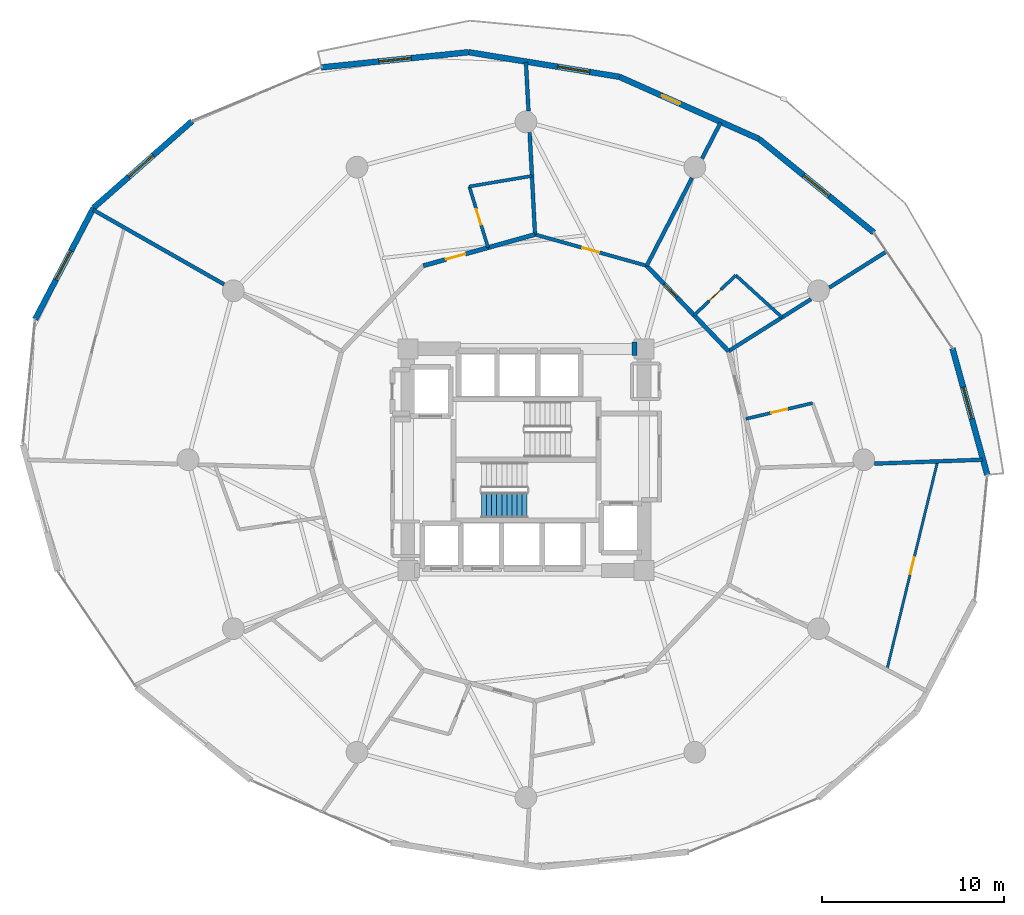
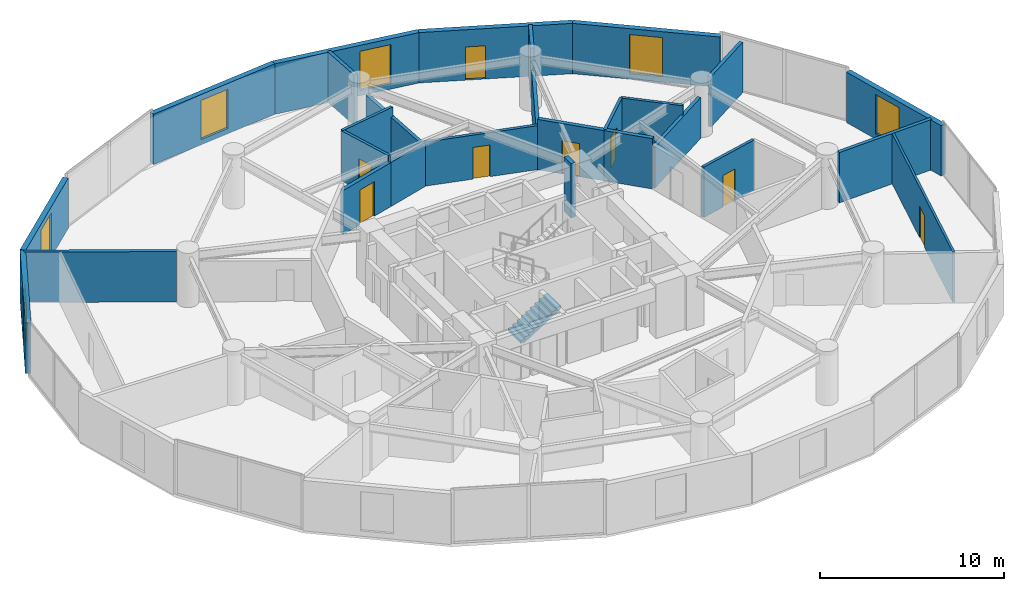
# One storey, part 22 of 26: 27 walls, 8 doors, 6 windows, 1 stair flight, 14 openings, 1 element without a shape of its own.
"""IFC4 building model written with IfcOpenShell, lengths in metres."""

from ifc_helpers import new_model, si_unit, direction, frame, frame_2d, origin, place, context, subcontext, project, spatial, polyline, rectangle, outline, extrude, material, layer, layer_set, type_object, element, fill, aggregate, save


model = new_model("IFC4")

# Units and contexts
model_context = context("Model", 3, precision=1e-05, world=origin(), true_north=direction((0.0, 1.0)))
body_context = subcontext(model_context, "Body", "Model", "MODEL_VIEW")
ifc_project = project(units=[si_unit("LENGTHUNIT", "METRE"), si_unit("AREAUNIT", "SQUARE_METRE"), si_unit("VOLUMEUNIT", "CUBIC_METRE"), si_unit("PLANEANGLEUNIT", "RADIAN"), si_unit("MASSUNIT", "GRAM", prefix="KILO")], contexts=[model_context])

# Site, building, storey
site_placement = place(None, origin())
site = spatial("IfcSite", under=ifc_project, at=site_placement, CompositionType="ELEMENT")
building_placement = place(site_placement, origin())
building = spatial("IfcBuilding", under=site, at=building_placement, Name="Solvirekh Grand Hotel", CompositionType="ELEMENT")
storey_placement = place(building_placement, frame((0.0, 0.0, 64.39990234375)))
storey = spatial("IfcBuildingStorey", under=building, at=storey_placement, Name="L15", CompositionType="ELEMENT", Elevation=64.39990234375)

# Wall
ifc_material_1 = material(Name="Concrete C60/75", Category="concrete")
ifc_layer_1 = layer(ifc_material_1, 0.75)
ifc_layer_set_1 = layer_set([ifc_layer_1], Name="Concrete C60/75")
wall_type_1 = type_object("IfcWallType", Name="CoreWall_RC750", PredefinedType="SHEAR", material=ifc_layer_set_1)
wall_1_placement = place(storey_placement, frame((5.85009765625, 6.10009765625, 0.0), z_axis=(0.0, 0.0, 1.0), x_axis=(1.0, 0.0, 0.0)))
element("IfcWall", 1, at=wall_1_placement, inside=storey, type_object=wall_type_1, Name="L15 core corner shear wall NE-N", PredefinedType="SHEAR", context=body_context, shape_type="SweptSolid", body=[
    extrude(rectangle(XDim=0.27490234375, YDim=0.75, at=frame_2d((0.137451171875, 0.0))), origin(), (0.0, 0.0, 1.0), 3.60009765625),
])

# Wall, opening, window
ifc_material_2 = material(Name="Precast concrete C45/55", Category="concrete")
ifc_layer_2 = layer(ifc_material_2, 0.320068359375)
ifc_layer_set_2 = layer_set([ifc_layer_2], Name="Precast concrete C45/55")
wall_type_2 = type_object("IfcWallType", Name="ExtLobbyWall_RC320", PredefinedType="SOLIDWALL", material=ifc_layer_set_2)
wall_2_placement = place(storey_placement, frame((23.48193359375, 6.135009765625, 0.0), z_axis=(0.0, 0.0, 1.0), x_axis=(0.265132950738, -0.964211863873, 0.0)))
wall_2 = element("IfcWall", 2, at=wall_2_placement, inside=storey, type_object=wall_type_2, Name="L15 exterior structural wall chord 2", PredefinedType="SOLIDWALL", context=body_context, shape_type="SweptSolid", body=[
    extrude(rectangle(XDim=7.23388671875, YDim=0.320068359375, at=frame_2d((3.616943359375, 0.0))), origin(), (0.0, 0.0, 1.0), 3.340087890625),
])
opening_1_placement = place(wall_2_placement, frame((2.22607421875, 0.0, 0.35009765625)))
opening_1 = element("IfcOpeningElement", 3, at=opening_1_placement, cuts=wall_2, Name="Opening W02", PredefinedType="OPENING", context=body_context, shape_type="SweptSolid", body=[
    extrude(rectangle(XDim=1.800048828125, YDim=2.60009765625, at=frame_2d((0.89990234375, 1.300048828125))), frame((0.0, 0.169921875, 0.0), z_axis=(0.0, -1.0, 0.0), x_axis=(1.0, 0.0, 0.0)), (0.0, 0.0, 1.0), 0.340087890625),
])
ifc_material_3 = material(Name="Low-E Tinted Bronze Laminated Glass", Category="aluminium")
window_type = type_object("IfcWindowType", Name="Win_LobbyExt_1800X2600", PartitioningType="SINGLE_PANEL", PredefinedType="WINDOW", material=ifc_material_3)
window_1_placement = place(opening_1_placement, origin())
window_1 = element("IfcWindow", 4, at=window_1_placement, inside=storey, type_object=window_type, Name="L15 panoramic bronze-framed window 2", OverallHeight=2.60009765625, OverallWidth=1.800048828125, PartitioningType="SINGLE_PANEL", PredefinedType="WINDOW", context=body_context, shape_type="SweptSolid", body=[
    extrude(rectangle(XDim=1.800048828125, YDim=2.60009765625, at=frame_2d((0.89990234375, 1.300048828125))), frame((0.0, 0.030029296875, 0.0), z_axis=(0.0, -1.0, 0.0), x_axis=(1.0, 0.0, 0.0)), (0.0, 0.0, 1.0), 0.06005859375),
])
fill(opening_1, window_1)

wall_3_placement = place(storey_placement, frame((12.8359375, 17.657958984375, 0.0), z_axis=(0.0, 0.0, 1.0), x_axis=(0.775030651079, -0.631923642451, 0.0)))
wall_3 = element("IfcWall", 5, at=wall_3_placement, inside=storey, type_object=wall_type_2, Name="L15 exterior structural wall chord 4", PredefinedType="SOLIDWALL", context=body_context, shape_type="SweptSolid", body=[
    extrude(rectangle(XDim=8.149658203125, YDim=0.320068359375, at=frame_2d((4.07470703125, 0.0))), origin(), (0.0, 0.0, 1.0), 3.340087890625),
])
opening_2_placement = place(wall_3_placement, frame((3.175048828125, 0.0, 0.35009765625)))
opening_2 = element("IfcOpeningElement", 6, at=opening_2_placement, cuts=wall_3, Name="Opening W02", PredefinedType="OPENING", context=body_context, shape_type="SweptSolid", body=[
    extrude(rectangle(XDim=1.800048828125, YDim=2.60009765625, at=frame_2d((0.89990234375, 1.300048828125))), frame((0.0, 0.169921875, 0.0), z_axis=(0.0, -1.0, 0.0), x_axis=(1.0, 0.0, 0.0)), (0.0, 0.0, 1.0), 0.340087890625),
])
window_2_placement = place(opening_2_placement, origin())
window_2 = element("IfcWindow", 7, at=window_2_placement, inside=storey, type_object=window_type, Name="L15 panoramic bronze-framed window 4", OverallHeight=2.60009765625, OverallWidth=1.800048828125, PartitioningType="SINGLE_PANEL", PredefinedType="WINDOW", context=body_context, shape_type="SweptSolid", body=[
    extrude(rectangle(XDim=1.800048828125, YDim=2.60009765625, at=frame_2d((0.89990234375, 1.300048828125))), frame((0.0, 0.030029296875, 0.0), z_axis=(0.0, -1.0, 0.0), x_axis=(1.0, 0.0, 0.0)), (0.0, 0.0, 1.0), 0.06005859375),
])
fill(opening_2, window_2)

# Wall, opening, door
wall_4_placement = place(storey_placement, frame((5.14990234375, 21.0791015625, 0.0), z_axis=(0.0, 0.0, 1.0), x_axis=(0.913585235978, -0.406647287712, 0.0)))
wall_4 = element("IfcWall", 8, at=wall_4_placement, inside=storey, type_object=wall_type_2, Name="L15 exterior structural wall chord 5", PredefinedType="SOLIDWALL", context=body_context, shape_type="SweptSolid", body=[
    extrude(rectangle(XDim=8.4130859375, YDim=0.320068359375, at=frame_2d((4.20654296875, 0.0))), origin(), (0.0, 0.0, 1.0), 3.340087890625),
])
opening_3_placement = place(wall_4_placement, frame((2.553955078125, 0.0, 0.0)))
opening_3 = element("IfcOpeningElement", 9, at=opening_3_placement, cuts=wall_4, Name="Opening D03", PredefinedType="OPENING", context=body_context, shape_type="SweptSolid", body=[
    extrude(rectangle(XDim=1.10009765625, YDim=2.199951171875, at=frame_2d((0.550048828125, 1.10009765625))), frame((0.0, 0.169921875, 0.0), z_axis=(0.0, -1.0, 0.0), x_axis=(1.0, 0.0, 0.0)), (0.0, 0.0, 1.0), 0.340087890625),
])
ifc_material_4 = material(Name="Anodized Bronze Aluminium 6063-T6", Category="aluminium")
door_type_1 = type_object("IfcDoorType", Name="Door_ExtBalcony_1100X2200", OperationType="NOTDEFINED", PredefinedType="DOOR", material=ifc_material_4)
door_1_placement = place(opening_3_placement, origin())
door_1 = element("IfcDoor", 10, at=door_1_placement, inside=storey, type_object=door_type_1, Name="L15 Crescent balcony glazed door (5)", OperationType="SINGLE_SWING_LEFT", OverallHeight=2.199951171875, OverallWidth=1.10009765625, PredefinedType="DOOR", context=body_context, shape_type="SweptSolid", body=[
    extrude(rectangle(XDim=1.10009765625, YDim=2.199951171875, at=frame_2d((0.550048828125, 1.10009765625))), frame((0.0, 0.02490234375, 0.0), z_axis=(0.0, -1.0, 0.0), x_axis=(1.0, 0.0, 0.0)), (0.0, 0.0, 1.0), 0.050048828125),
])
fill(opening_3, door_1)

# Wall, opening, window
wall_5_placement = place(storey_placement, frame((-3.153076171875, 22.43603515625, 0.0), z_axis=(0.0, 0.0, 1.0), x_axis=(0.986907440065, -0.161287645973, 0.0)))
wall_5 = element("IfcWall", 11, at=wall_5_placement, inside=storey, type_object=wall_type_2, Name="L15 exterior structural wall chord 6", PredefinedType="SOLIDWALL", context=body_context, shape_type="SweptSolid", body=[
    extrude(rectangle(XDim=8.4130859375, YDim=0.320068359375, at=frame_2d((4.20654296875, 0.0))), origin(), (0.0, 0.0, 1.0), 3.340087890625),
])
opening_4_placement = place(wall_5_placement, frame((4.95703125, 0.0, 0.35009765625)))
opening_4 = element("IfcOpeningElement", 12, at=opening_4_placement, cuts=wall_5, Name="Opening W02", PredefinedType="OPENING", context=body_context, shape_type="SweptSolid", body=[
    extrude(rectangle(XDim=1.800048828125, YDim=2.60009765625, at=frame_2d((0.89990234375, 1.300048828125))), frame((0.0, 0.169921875, 0.0), z_axis=(0.0, -1.0, 0.0), x_axis=(1.0, 0.0, 0.0)), (0.0, 0.0, 1.0), 0.340087890625),
])
window_3_placement = place(opening_4_placement, origin())
window_3 = element("IfcWindow", 13, at=window_3_placement, inside=storey, type_object=window_type, Name="L15 panoramic bronze-framed window 6", OverallHeight=2.60009765625, OverallWidth=1.800048828125, PartitioningType="SINGLE_PANEL", PredefinedType="WINDOW", context=body_context, shape_type="SweptSolid", body=[
    extrude(rectangle(XDim=1.800048828125, YDim=2.60009765625, at=frame_2d((0.89990234375, 1.300048828125))), frame((0.0, 0.030029296875, 0.0), z_axis=(0.0, -1.0, 0.0), x_axis=(1.0, 0.0, 0.0)), (0.0, 0.0, 1.0), 0.06005859375),
])
fill(opening_4, window_3)

wall_6_placement = place(storey_placement, frame((-11.259033203125, 21.597900390625, 0.0), z_axis=(0.0, 0.0, 1.0), x_axis=(0.994696973701, 0.102849066644, 0.0)))
wall_6 = element("IfcWall", 14, at=wall_6_placement, inside=storey, type_object=wall_type_2, Name="L15 exterior structural wall chord 7", PredefinedType="SOLIDWALL", context=body_context, shape_type="SweptSolid", body=[
    extrude(rectangle(XDim=8.149169921875, YDim=0.320068359375, at=frame_2d((4.07470703125, 0.0))), origin(), (0.0, 0.0, 1.0), 3.340087890625),
])
opening_5_placement = place(wall_6_placement, frame((3.175048828125, 0.0, 0.35009765625)))
opening_5 = element("IfcOpeningElement", 15, at=opening_5_placement, cuts=wall_6, Name="Opening W02", PredefinedType="OPENING", context=body_context, shape_type="SweptSolid", body=[
    extrude(rectangle(XDim=1.800048828125, YDim=2.60009765625, at=frame_2d((0.89990234375, 1.300048828125))), frame((0.0, 0.169921875, 0.0), z_axis=(0.0, -1.0, 0.0), x_axis=(1.0, 0.0, 0.0)), (0.0, 0.0, 1.0), 0.340087890625),
])
window_4_placement = place(opening_5_placement, origin())
window_4 = element("IfcWindow", 16, at=window_4_placement, inside=storey, type_object=window_type, Name="L15 panoramic bronze-framed window 7", OverallHeight=2.60009765625, OverallWidth=1.800048828125, PartitioningType="SINGLE_PANEL", PredefinedType="WINDOW", context=body_context, shape_type="SweptSolid", body=[
    extrude(rectangle(XDim=1.800048828125, YDim=2.60009765625, at=frame_2d((0.89990234375, 1.300048828125))), frame((0.0, 0.030029296875, 0.0), z_axis=(0.0, -1.0, 0.0), x_axis=(1.0, 0.0, 0.0)), (0.0, 0.0, 1.0), 0.06005859375),
])
fill(opening_5, window_4)

wall_7_placement = place(storey_placement, frame((-23.805908203125, 13.866943359375, 0.0), z_axis=(0.0, 0.0, 1.0), x_axis=(0.750731596094, 0.660607349812, 0.0)))
wall_7 = element("IfcWall", 17, at=wall_7_placement, inside=storey, type_object=wall_type_2, Name="L15 exterior structural wall chord 9", PredefinedType="SOLIDWALL", context=body_context, shape_type="SweptSolid", body=[
    extrude(rectangle(XDim=7.23291015625, YDim=0.320068359375, at=frame_2d((3.616455078125, 0.0))), origin(), (0.0, 0.0, 1.0), 3.340087890625),
])
opening_6_placement = place(wall_7_placement, frame((2.5791015625, 0.0, 0.35009765625)))
opening_6 = element("IfcOpeningElement", 18, at=opening_6_placement, cuts=wall_7, Name="Opening W02", PredefinedType="OPENING", context=body_context, shape_type="SweptSolid", body=[
    extrude(rectangle(XDim=1.800048828125, YDim=2.60009765625, at=frame_2d((0.89990234375, 1.300048828125))), frame((0.0, 0.169921875, 0.0), z_axis=(0.0, -1.0, 0.0), x_axis=(1.0, 0.0, 0.0)), (0.0, 0.0, 1.0), 0.340087890625),
])
window_5_placement = place(opening_6_placement, origin())
window_5 = element("IfcWindow", 19, at=window_5_placement, inside=storey, type_object=window_type, Name="L15 panoramic bronze-framed window 9", OverallHeight=2.60009765625, OverallWidth=1.800048828125, PartitioningType="SINGLE_PANEL", PredefinedType="WINDOW", context=body_context, shape_type="SweptSolid", body=[
    extrude(rectangle(XDim=1.800048828125, YDim=2.60009765625, at=frame_2d((0.89990234375, 1.300048828125))), frame((0.0, 0.030029296875, 0.0), z_axis=(0.0, -1.0, 0.0), x_axis=(1.0, 0.0, 0.0)), (0.0, 0.0, 1.0), 0.06005859375),
])
fill(opening_6, window_5)

wall_8_placement = place(storey_placement, frame((-27.01904296875, 7.73193359375, 0.0), z_axis=(0.0, 0.0, 1.0), x_axis=(0.46395693802, 0.885857753628, 0.0)))
wall_8 = element("IfcWall", 20, at=wall_8_placement, inside=storey, type_object=wall_type_2, Name="L15 exterior structural wall chord 10", PredefinedType="SOLIDWALL", context=body_context, shape_type="SweptSolid", body=[
    extrude(rectangle(XDim=6.925537109375, YDim=0.320068359375, at=frame_2d((3.462890625, 0.0))), origin(), (0.0, 0.0, 1.0), 3.340087890625),
])
opening_7_placement = place(wall_8_placement, frame((2.458984375, 0.0, 0.35009765625)))
opening_7 = element("IfcOpeningElement", 21, at=opening_7_placement, cuts=wall_8, Name="Opening W02", PredefinedType="OPENING", context=body_context, shape_type="SweptSolid", body=[
    extrude(rectangle(XDim=1.800048828125, YDim=2.60009765625, at=frame_2d((0.89990234375, 1.300048828125))), frame((0.0, 0.169921875, 0.0), z_axis=(0.0, -1.0, 0.0), x_axis=(1.0, 0.0, 0.0)), (0.0, 0.0, 1.0), 0.340087890625),
])
window_6_placement = place(opening_7_placement, origin())
window_6 = element("IfcWindow", 22, at=window_6_placement, inside=storey, type_object=window_type, Name="L15 panoramic bronze-framed window 10", OverallHeight=2.60009765625, OverallWidth=1.800048828125, PartitioningType="SINGLE_PANEL", PredefinedType="WINDOW", context=body_context, shape_type="SweptSolid", body=[
    extrude(rectangle(XDim=1.800048828125, YDim=2.60009765625, at=frame_2d((0.89990234375, 1.300048828125))), frame((0.0, 0.030029296875, 0.0), z_axis=(0.0, -1.0, 0.0), x_axis=(1.0, 0.0, 0.0)), (0.0, 0.0, 1.0), 0.06005859375),
])
fill(opening_7, window_6)

# Wall
ifc_material_5 = material(Name="Acoustic Gypsum Partition Assembly")
ifc_layer_3 = layer(ifc_material_5, 0.239990234375)
ifc_layer_set_3 = layer_set([ifc_layer_3], Name="Acoustic Gypsum Partition Assembly")
wall_type_3 = type_object("IfcWallType", Name="Part_Corridor_240", PredefinedType="PARTITIONING", material=ifc_layer_set_3)
wall_9_placement = place(storey_placement, frame((0.5, 12.39990234375, 0.0), z_axis=(0.0, 0.0, 1.0), x_axis=(-0.962997098558, -0.269511758869, 0.0)))
element("IfcWall", 23, at=wall_9_placement, inside=storey, type_object=wall_type_3, Name="L15 En-suite Bathroom 1701 corridor backing wall", PredefinedType="PARTITIONING", context=body_context, shape_type="SweptSolid", body=[
    extrude(rectangle(XDim=2.682373046875, YDim=0.239990234375, at=frame_2d((1.34130859375, 0.0))), origin(), (0.0, 0.0, 1.0), 2.9169921875),
])

# Wall, opening, door
wall_10_placement = place(storey_placement, frame((-2.0830078125, 11.677001953125, 0.0), z_axis=(0.0, 0.0, 1.0), x_axis=(-0.962943481199, -0.269703266603, 0.0)))
wall_10 = element("IfcWall", 24, at=wall_10_placement, inside=storey, type_object=wall_type_3, Name="L15 Diplomatic Suite 1701 Living Room entrance wall", PredefinedType="PARTITIONING", context=body_context, shape_type="SweptSolid", body=[
    extrude(rectangle(XDim=3.7041015625, YDim=0.239990234375, at=frame_2d((1.85205078125, 0.0))), origin(), (0.0, 0.0, 1.0), 2.9169921875),
])
opening_8_placement = place(wall_10_placement, frame((1.302001953125, 0.0, 0.0)))
opening_8 = element("IfcOpeningElement", 25, at=opening_8_placement, cuts=wall_10, Name="Opening D08", PredefinedType="OPENING", context=body_context, shape_type="SweptSolid", body=[
    extrude(rectangle(XDim=1.10009765625, YDim=2.300048828125, at=frame_2d((0.550048828125, 1.14990234375))), frame((0.0, 0.1298828125, 0.0), z_axis=(0.0, -1.0, 0.0), x_axis=(1.0, 0.0, 0.0)), (0.0, 0.0, 1.0), 0.260009765625),
])
ifc_material_6 = material(Name="Fire-Rated Steel Door Assembly", Category="steel")
door_type_2 = type_object("IfcDoorType", Name="Door_SuiteEntry_1100X2300", OperationType="NOTDEFINED", PredefinedType="DOOR", material=ifc_material_6)
door_2_placement = place(opening_8_placement, origin())
door_2 = element("IfcDoor", 26, at=door_2_placement, inside=storey, type_object=door_type_2, Name="L15 Diplomatic Suite 1701 Living Room entrance door", OperationType="SINGLE_SWING_RIGHT", OverallHeight=2.300048828125, OverallWidth=1.10009765625, PredefinedType="DOOR", context=body_context, shape_type="SweptSolid", body=[
    extrude(rectangle(XDim=1.10009765625, YDim=2.300048828125, at=frame_2d((0.550048828125, 1.14990234375))), frame((0.0, 0.02490234375, 0.0), z_axis=(0.0, -1.0, 0.0), x_axis=(1.0, 0.0, 0.0)), (0.0, 0.0, 1.0), 0.050048828125),
])
fill(opening_8, door_2)

# Wall
wall_11_placement = place(storey_placement, frame((11.152099609375, 5.97509765625, 0.0), z_axis=(0.0, 0.0, 1.0), x_axis=(-0.69162799291, 0.72225391617, 0.0)))
element("IfcWall", 27, at=wall_11_placement, inside=storey, type_object=wall_type_3, Name="L15 En-suite Bathroom 1707 corridor backing wall", PredefinedType="PARTITIONING", context=body_context, shape_type="SweptSolid", body=[
    extrude(rectangle(XDim=2.734375, YDim=0.239990234375, at=frame_2d((1.3671875, 0.0))), origin(), (0.0, 0.0, 1.0), 3.340087890625),
])

# Wall, opening, door
wall_12_placement = place(storey_placement, frame((9.260986328125, 7.949951171875, 0.0), z_axis=(0.0, 0.0, 1.0), x_axis=(-0.691453073155, 0.722421378161, 0.0)))
wall_12 = element("IfcWall", 28, at=wall_12_placement, inside=storey, type_object=wall_type_3, Name="L15 Deluxe Guestroom 1707 entrance wall", PredefinedType="PARTITIONING", context=body_context, shape_type="SweptSolid", body=[
    extrude(rectangle(XDim=3.776123046875, YDim=0.239990234375, at=frame_2d((1.88818359375, 0.0))), origin(), (0.0, 0.0, 1.0), 3.340087890625),
])
opening_9_placement = place(wall_12_placement, frame((1.387939453125, 0.0, 0.0)))
opening_9 = element("IfcOpeningElement", 29, at=opening_9_placement, cuts=wall_12, Name="Opening D07", PredefinedType="OPENING", context=body_context, shape_type="SweptSolid", body=[
    extrude(rectangle(XDim=1.0, YDim=2.199951171875, at=frame_2d((0.5, 1.10009765625))), frame((0.0, 0.1298828125, 0.0), z_axis=(0.0, -1.0, 0.0), x_axis=(1.0, 0.0, 0.0)), (0.0, 0.0, 1.0), 0.260009765625),
])
door_type_3 = type_object("IfcDoorType", Name="Door_GuestEntry_1000X2200", OperationType="NOTDEFINED", PredefinedType="DOOR", material=ifc_material_6)
door_3_placement = place(opening_9_placement, origin())
door_3 = element("IfcDoor", 30, at=door_3_placement, inside=storey, type_object=door_type_3, Name="L15 Deluxe Guestroom 1707 entrance door", OperationType="SINGLE_SWING_RIGHT", OverallHeight=2.199951171875, OverallWidth=1.0, PredefinedType="DOOR", context=body_context, shape_type="SweptSolid", body=[
    extrude(rectangle(XDim=1.0, YDim=2.199951171875, at=frame_2d((0.5, 1.10009765625))), frame((0.0, 0.02490234375, 0.0), z_axis=(0.0, -1.0, 0.0), x_axis=(1.0, 0.0, 0.0)), (0.0, 0.0, 1.0), 0.050048828125),
])
fill(opening_9, door_3)

ifc_layer_4 = layer(ifc_material_5, 0.18994140625)
ifc_layer_set_4 = layer_set([ifc_layer_4], Name="Acoustic Gypsum Partition Assembly")
wall_type_4 = type_object("IfcWallType", Name="Part_GuestDemise_190", PredefinedType="PARTITIONING", material=ifc_layer_set_4)
wall_13_placement = place(storey_placement, frame((6.64990234375, 10.677978515625, 0.0), z_axis=(0.0, 0.0, 1.0), x_axis=(-0.962966004827, 0.26962283573, 0.0)))
wall_13 = element("IfcWall", 31, at=wall_13_placement, inside=storey, type_object=wall_type_4, Name="L15 L15 Executive Business Study entrance wall", PredefinedType="PARTITIONING", context=body_context, shape_type="SweptSolid", body=[
    extrude(rectangle(XDim=6.386474609375, YDim=0.18994140625, at=frame_2d((3.193359375, 0.0))), origin(), (0.0, 0.0, 1.0), 2.9169921875),
])
opening_10_placement = place(wall_13_placement, frame((2.718017578125, 0.0, 0.0)))
opening_10 = element("IfcOpeningElement", 32, at=opening_10_placement, cuts=wall_13, Name="Opening D10", PredefinedType="OPENING", context=body_context, shape_type="SweptSolid", body=[
    extrude(rectangle(XDim=0.949951171875, YDim=2.10009765625, at=frame_2d((0.47509765625, 1.050048828125))), frame((0.0, 0.10498046875, 0.0), z_axis=(0.0, -1.0, 0.0), x_axis=(1.0, 0.0, 0.0)), (0.0, 0.0, 1.0), 0.2099609375),
])
door_type_4 = type_object("IfcDoorType", Name="Door_RoomInt_950X2100", OperationType="NOTDEFINED", PredefinedType="DOOR", material=ifc_material_4)
door_4_placement = place(opening_10_placement, origin())
door_4 = element("IfcDoor", 33, at=door_4_placement, inside=storey, type_object=door_type_4, Name="L15 L15 Executive Business Study entrance door", OperationType="SINGLE_SWING_LEFT", OverallHeight=2.10009765625, OverallWidth=0.949951171875, PredefinedType="DOOR", context=body_context, shape_type="SweptSolid", body=[
    extrude(rectangle(XDim=0.949951171875, YDim=2.10009765625, at=frame_2d((0.47509765625, 1.050048828125))), frame((0.0, 0.02490234375, 0.0), z_axis=(0.0, -1.0, 0.0), x_axis=(1.0, 0.0, 0.0)), (0.0, 0.0, 1.0), 0.050048828125),
])
fill(opening_10, door_4)

ifc_layer_5 = layer(ifc_material_5, 0.135009765625)
ifc_layer_set_5 = layer_set([ifc_layer_5], Name="Acoustic Gypsum Partition Assembly")
wall_type_5 = type_object("IfcWallType", Name="Part_RoomInt_135", PredefinedType="PARTITIONING", material=ifc_layer_set_5)
wall_14_placement = place(storey_placement, frame((19.8740234375, -11.56103515625, 0.0), z_axis=(0.0, 0.0, 1.0), x_axis=(0.236258171871, 0.971690319096, 0.0)))
wall_14 = element("IfcWall", 34, at=wall_14_placement, inside=storey, type_object=wall_type_5, Name="L15 Diplomatic Suite 1705 Suite Foyer bedroom screen wall", PredefinedType="PARTITIONING", context=body_context, shape_type="SweptSolid", body=[
    extrude(rectangle(XDim=11.80517578125, YDim=0.135009765625, at=frame_2d((5.902587890625, 0.0))), origin(), (0.0, 0.0, 1.0), 3.340087890625),
])
opening_11_placement = place(wall_14_placement, frame((5.427978515625, 0.0, 0.0)))
opening_11 = element("IfcOpeningElement", 35, at=opening_11_placement, cuts=wall_14, Name="Opening D10", PredefinedType="OPENING", context=body_context, shape_type="SweptSolid", body=[
    extrude(rectangle(XDim=0.949951171875, YDim=2.10009765625, at=frame_2d((0.47509765625, 1.050048828125))), frame((0.0, 0.07763671875, 0.0), z_axis=(0.0, -1.0, 0.0), x_axis=(1.0, 0.0, 0.0)), (0.0, 0.0, 1.0), 0.155029296875),
])
door_5_placement = place(opening_11_placement, origin())
door_5 = element("IfcDoor", 36, at=door_5_placement, inside=storey, type_object=door_type_4, Name="L15 Diplomatic Suite 1705 Suite Foyer master bedroom door", OperationType="SINGLE_SWING_RIGHT", OverallHeight=2.10009765625, OverallWidth=0.949951171875, PredefinedType="DOOR", context=body_context, shape_type="SweptSolid", body=[
    extrude(rectangle(XDim=0.949951171875, YDim=2.10009765625, at=frame_2d((0.47509765625, 1.050048828125))), frame((0.0, 0.02490234375, 0.0), z_axis=(0.0, -1.0, 0.0), x_axis=(1.0, 0.0, 0.0)), (0.0, 0.0, 1.0), 0.050048828125),
])
fill(opening_11, door_5)

# Walls
ifc_layer_6 = layer(ifc_material_5, 0.2099609375)
ifc_layer_set_6 = layer_set([ifc_layer_6], Name="Acoustic Gypsum Partition Assembly")
wall_type_6 = type_object("IfcWallType", Name="Part_SuiteDemise_210", PredefinedType="PARTITIONING", material=ifc_layer_set_6)
wall_15_placement = place(storey_placement, frame((19.180908203125, -0.217041015625, 0.0), z_axis=(0.0, 0.0, 1.0), x_axis=(0.999334912842, 0.036465490191, 0.0)))
element("IfcWall", 37, at=wall_15_placement, inside=storey, type_object=wall_type_6, Name="L15 suite radial wall 1 (B)", PredefinedType="PARTITIONING", context=body_context, shape_type="SweptSolid", body=[
    extrude(rectangle(XDim=5.951904296875, YDim=0.2099609375, at=frame_2d((2.97607421875, 0.0))), origin(), (0.0, 0.0, 1.0), 3.340087890625),
])
wall_16_placement = place(storey_placement, frame((11.152099609375, 5.97509765625, 0.0), z_axis=(0.0, 0.0, 1.0), x_axis=(0.845824796296, 0.533460789535, 0.0)))
element("IfcWall", 38, at=wall_16_placement, inside=storey, type_object=wall_type_6, Name="L15 suite radial wall 2 (A)", PredefinedType="PARTITIONING", context=body_context, shape_type="SweptSolid", body=[
    extrude(rectangle(XDim=5.36865234375, YDim=0.2099609375, at=frame_2d((2.684326171875, 0.0))), origin(), (0.0, 0.0, 1.0), 2.7080078125),
])
wall_17_placement = place(storey_placement, frame((16.701904296875, 9.47607421875, 0.0), z_axis=(0.0, 0.0, 1.0), x_axis=(0.845791996805, 0.533512790981, 0.0)))
element("IfcWall", 39, at=wall_17_placement, inside=storey, type_object=wall_type_6, Name="L15 suite radial wall 2 (B)", PredefinedType="PARTITIONING", context=body_context, shape_type="SweptSolid", body=[
    extrude(rectangle(XDim=3.6923828125, YDim=0.2099609375, at=frame_2d((1.84619140625, 0.0))), origin(), (0.0, 0.0, 1.0), 3.340087890625),
])
wall_18_placement = place(storey_placement, frame((6.64990234375, 10.677978515625, 0.0), z_axis=(0.0, 0.0, 1.0), x_axis=(0.458459867615, 0.888715111713, 0.0)))
element("IfcWall", 40, at=wall_18_placement, inside=storey, type_object=wall_type_6, Name="L15 suite radial wall 3 (A)", PredefinedType="PARTITIONING", context=body_context, shape_type="SweptSolid", body=[
    extrude(rectangle(XDim=5.43603515625, YDim=0.2099609375, at=frame_2d((2.718017578125, 0.0))), origin(), (0.0, 0.0, 1.0), 2.7080078125),
])
wall_19_placement = place(storey_placement, frame((9.697021484375, 16.5849609375, 0.0), z_axis=(0.0, 0.0, 1.0), x_axis=(0.458346114294, 0.888773784217, 0.0)))
element("IfcWall", 41, at=wall_19_placement, inside=storey, type_object=wall_type_6, Name="L15 suite radial wall 3 (B)", PredefinedType="PARTITIONING", context=body_context, shape_type="SweptSolid", body=[
    extrude(rectangle(XDim=2.22119140625, YDim=0.2099609375, at=frame_2d((1.110595703125, 0.0))), origin(), (0.0, 0.0, 1.0), 3.340087890625),
])
wall_20_placement = place(storey_placement, frame((0.5, 12.39990234375, 0.0), z_axis=(0.0, 0.0, 1.0), x_axis=(-0.052634051211, 0.998613867645, 0.0)))
element("IfcWall", 42, at=wall_20_placement, inside=storey, type_object=wall_type_6, Name="L15 suite radial wall 4 (A)", PredefinedType="PARTITIONING", context=body_context, shape_type="SweptSolid", body=[
    extrude(rectangle(XDim=5.621826171875, YDim=0.2099609375, at=frame_2d((2.81103515625, 0.0))), origin(), (0.0, 0.0, 1.0), 2.7080078125),
])
wall_21_placement = place(storey_placement, frame((0.14111328125, 19.2041015625, 0.0), z_axis=(0.0, 0.0, 1.0), x_axis=(-0.052640094062, 0.998613549126, 0.0)))
element("IfcWall", 43, at=wall_21_placement, inside=storey, type_object=wall_type_6, Name="L15 suite radial wall 4 (B)", PredefinedType="PARTITIONING", context=body_context, shape_type="SweptSolid", body=[
    extrude(rectangle(XDim=2.6806640625, YDim=0.2099609375, at=frame_2d((1.34033203125, 0.0))), origin(), (0.0, 0.0, 1.0), 3.340087890625),
])
wall_22_placement = place(storey_placement, frame((-16.616943359375, 9.654052734375, 0.0), z_axis=(0.0, 0.0, 1.0), x_axis=(-0.869164268593, 0.494523481951, 0.0)))
element("IfcWall", 44, at=wall_22_placement, inside=storey, type_object=wall_type_6, Name="L15 suite radial wall 6 (B)", PredefinedType="PARTITIONING", context=body_context, shape_type="SweptSolid", body=[
    extrude(rectangle(XDim=8.28857421875, YDim=0.2099609375, at=frame_2d((4.144287109375, 0.0))), origin(), (0.0, 0.0, 1.0), 3.340087890625),
])
ifc_layer_7 = layer(ifc_material_5, 0.175048828125)
ifc_layer_set_7 = layer_set([ifc_layer_7], Name="Acoustic Gypsum Partition Assembly")
wall_type_7 = type_object("IfcWallType", Name="Plumb_Ensuite_175", PredefinedType="PLUMBINGWALL", material=ifc_layer_set_7)
wall_23_placement = place(storey_placement, frame((0.330078125, 15.6240234375, 0.0), z_axis=(0.0, 0.0, 1.0), x_axis=(-0.986103759575, -0.166130597281, 0.0)))
element("IfcWall", 45, at=wall_23_placement, inside=storey, type_object=wall_type_7, Name="L15 En-suite Bathroom 1701 outer plumbing wall", PredefinedType="PLUMBINGWALL", context=body_context, shape_type="SweptSolid", body=[
    extrude(rectangle(XDim=3.49755859375, YDim=0.175048828125, at=frame_2d((1.748779296875, 0.0))), origin(), (0.0, 0.0, 1.0), 3.340087890625),
])

# Wall, opening, door
wall_24_placement = place(storey_placement, frame((-2.0830078125, 11.677001953125, 0.0), z_axis=(0.0, 0.0, 1.0), x_axis=(-0.294139433535, 0.955762519478, 0.0)))
wall_24 = element("IfcWall", 46, at=wall_24_placement, inside=storey, type_object=wall_type_7, Name="L15 En-suite Bathroom 1701 entry plumbing wall", PredefinedType="PLUMBINGWALL", context=body_context, shape_type="SweptSolid", body=[
    extrude(rectangle(XDim=3.521728515625, YDim=0.175048828125, at=frame_2d((1.7607421875, 0.0))), origin(), (0.0, 0.0, 1.0), 3.340087890625),
])
opening_12_placement = place(wall_24_placement, frame((1.31103515625, 0.0, 0.0)))
opening_12 = element("IfcOpeningElement", 47, at=opening_12_placement, cuts=wall_24, Name="Opening D09", PredefinedType="OPENING", context=body_context, shape_type="SweptSolid", body=[
    extrude(rectangle(XDim=0.89990234375, YDim=2.10009765625, at=frame_2d((0.449951171875, 1.050048828125))), frame((0.0, 0.09765625, 0.0), z_axis=(0.0, -1.0, 0.0), x_axis=(1.0, 0.0, 0.0)), (0.0, 0.0, 1.0), 0.195068359375),
])
door_type_5 = type_object("IfcDoorType", Name="Door_Ensuite_900X2100", OperationType="NOTDEFINED", PredefinedType="DOOR", material=ifc_material_4)
door_6_placement = place(opening_12_placement, origin())
door_6 = element("IfcDoor", 48, at=door_6_placement, inside=storey, type_object=door_type_5, Name="L15 En-suite Bathroom 1701 door", OperationType="SINGLE_SWING_LEFT", OverallHeight=2.10009765625, OverallWidth=0.89990234375, PredefinedType="DOOR", context=body_context, shape_type="SweptSolid", body=[
    extrude(rectangle(XDim=0.89990234375, YDim=2.10009765625, at=frame_2d((0.449951171875, 1.050048828125))), frame((0.0, 0.02490234375, 0.0), z_axis=(0.0, -1.0, 0.0), x_axis=(1.0, 0.0, 0.0)), (0.0, 0.0, 1.0), 0.050048828125),
])
fill(opening_12, door_6)

wall_25_placement = place(storey_placement, frame((12.10791015625, 2.248046875, 0.0), z_axis=(0.0, 0.0, 1.0), x_axis=(0.973043221274, 0.230622829601, 0.0)))
wall_25 = element("IfcWall", 49, at=wall_25_placement, inside=storey, type_object=wall_type_7, Name="L15 En-suite Bathroom 1706 entry plumbing wall", PredefinedType="PLUMBINGWALL", context=body_context, shape_type="SweptSolid", body=[
    extrude(rectangle(XDim=3.771728515625, YDim=0.175048828125, at=frame_2d((1.8857421875, 0.0))), origin(), (0.0, 0.0, 1.0), 3.340087890625),
])
opening_13_placement = place(wall_25_placement, frame((1.43603515625, 0.0, 0.0)))
opening_13 = element("IfcOpeningElement", 50, at=opening_13_placement, cuts=wall_25, Name="Opening D09", PredefinedType="OPENING", context=body_context, shape_type="SweptSolid", body=[
    extrude(rectangle(XDim=0.89990234375, YDim=2.10009765625, at=frame_2d((0.449951171875, 1.050048828125))), frame((0.0, 0.09765625, 0.0), z_axis=(0.0, -1.0, 0.0), x_axis=(1.0, 0.0, 0.0)), (0.0, 0.0, 1.0), 0.195068359375),
])
door_7_placement = place(opening_13_placement, origin())
door_7 = element("IfcDoor", 51, at=door_7_placement, inside=storey, type_object=door_type_5, Name="L15 En-suite Bathroom 1706 door", OperationType="SINGLE_SWING_LEFT", OverallHeight=2.10009765625, OverallWidth=0.89990234375, PredefinedType="DOOR", context=body_context, shape_type="SweptSolid", body=[
    extrude(rectangle(XDim=0.89990234375, YDim=2.10009765625, at=frame_2d((0.449951171875, 1.050048828125))), frame((0.0, 0.02490234375, 0.0), z_axis=(0.0, -1.0, 0.0), x_axis=(1.0, 0.0, 0.0)), (0.0, 0.0, 1.0), 0.050048828125),
])
fill(opening_13, door_7)

# Wall
wall_26_placement = place(storey_placement, frame((14.10107421875, 7.8349609375, 0.0), z_axis=(0.0, 0.0, 1.0), x_axis=(-0.739686776135, 0.672951315632, 0.0)))
element("IfcWall", 52, at=wall_26_placement, inside=storey, type_object=wall_type_7, Name="L15 En-suite Bathroom 1707 outer plumbing wall", PredefinedType="PLUMBINGWALL", context=body_context, shape_type="SweptSolid", body=[
    extrude(rectangle(XDim=3.446044921875, YDim=0.175048828125, at=frame_2d((1.72314453125, 0.0))), origin(), (0.0, 0.0, 1.0), 3.340087890625),
])

# Wall, opening, door
wall_27_placement = place(storey_placement, frame((9.260986328125, 7.949951171875, 0.0), z_axis=(0.0, 0.0, 1.0), x_axis=(0.720644149621, 0.693305134567, 0.0)))
wall_27 = element("IfcWall", 53, at=wall_27_placement, inside=storey, type_object=wall_type_7, Name="L15 En-suite Bathroom 1707 entry plumbing wall", PredefinedType="PLUMBINGWALL", context=body_context, shape_type="SweptSolid", body=[
    extrude(rectangle(XDim=3.17919921875, YDim=0.175048828125, at=frame_2d((1.589599609375, 0.0))), origin(), (0.0, 0.0, 1.0), 3.340087890625),
])
opening_14_placement = place(wall_27_placement, frame((1.139892578125, 0.0, 0.0)))
opening_14 = element("IfcOpeningElement", 54, at=opening_14_placement, cuts=wall_27, Name="Opening D09", PredefinedType="OPENING", context=body_context, shape_type="SweptSolid", body=[
    extrude(rectangle(XDim=0.89990234375, YDim=2.10009765625, at=frame_2d((0.449951171875, 1.050048828125))), frame((0.0, 0.09765625, 0.0), z_axis=(0.0, -1.0, 0.0), x_axis=(1.0, 0.0, 0.0)), (0.0, 0.0, 1.0), 0.195068359375),
])
door_8_placement = place(opening_14_placement, origin())
door_8 = element("IfcDoor", 55, at=door_8_placement, inside=storey, type_object=door_type_5, Name="L15 En-suite Bathroom 1707 door", OperationType="SINGLE_SWING_LEFT", OverallHeight=2.10009765625, OverallWidth=0.89990234375, PredefinedType="DOOR", context=body_context, shape_type="SweptSolid", body=[
    extrude(rectangle(XDim=0.89990234375, YDim=2.10009765625, at=frame_2d((0.449951171875, 1.050048828125))), frame((0.0, 0.02490234375, 0.0), z_axis=(0.0, -1.0, 0.0), x_axis=(1.0, 0.0, 0.0)), (0.0, 0.0, 1.0), 0.050048828125),
])
fill(opening_14, door_8)

# Stair, stair flight
ifc_material_7 = material(Name="Concrete C40/50", Category="concrete")
stair_type = type_object("IfcStairType", Name="Stair_Core_1450", PredefinedType="HALF_TURN_STAIR", material=ifc_material_7)
stair_placement = place(storey_placement, origin())
stair = element("IfcStair", 56, at=stair_placement, inside=storey, type_object=stair_type, Name="L15 Enclosed exit stair ST-1", PredefinedType="HALF_TURN_STAIR")
stair_flight_type = type_object("IfcStairFlightType", Name="Flight_Core_1450", PredefinedType="STRAIGHT", material=ifc_material_7)
stair_flight_placement = place(storey_placement, frame((-2.449951171875, -2.5, 0.0), z_axis=(0.0, 0.0, 1.0), x_axis=(1.0, 0.0, 0.0)))
stair_flight = element("IfcStairFlight", 57, at=stair_flight_placement, type_object=stair_flight_type, Name="ST-1 flight 1", NumberOfRisers=10, NumberOfTreads=9, PredefinedType="STRAIGHT", RiserHeight=0.18, TreadLength=0.28, context=body_context, shape_type="SweptSolid", body=[
    extrude(outline(polyline([(0.0, 0.0), (0.0, 0.179931640625), (0.280029296875, 0.179931640625), (0.280029296875, 0.360107421875), (0.56005859375, 0.360107421875), (0.56005859375, 0.5400390625), (0.840087890625, 0.5400390625), (0.840087890625, 0.719970703125), (1.1201171875, 0.719970703125), (1.1201171875, 0.89990234375), (1.39990234375, 0.89990234375), (1.39990234375, 1.080078125), (1.679931640625, 1.080078125), (1.679931640625, 1.260009765625), (1.9599609375, 1.260009765625), (1.9599609375, 1.43994140625), (2.239990234375, 1.43994140625), (2.239990234375, 1.6201171875), (2.52001953125, 1.6201171875), (2.52001953125, 1.800048828125), (2.52001953125, 1.44189453125), (0.277099609375, 0.0), (0.0, 0.0)])), frame((0.0, 0.699951171875, 0.0), z_axis=(0.0, -1.0, 0.0), x_axis=(1.0, 0.0, 0.0)), (0.0, 0.0, 1.0), 1.39990234375),
])
aggregate(stair, [stair_flight])

save(model, "model.ifc")
